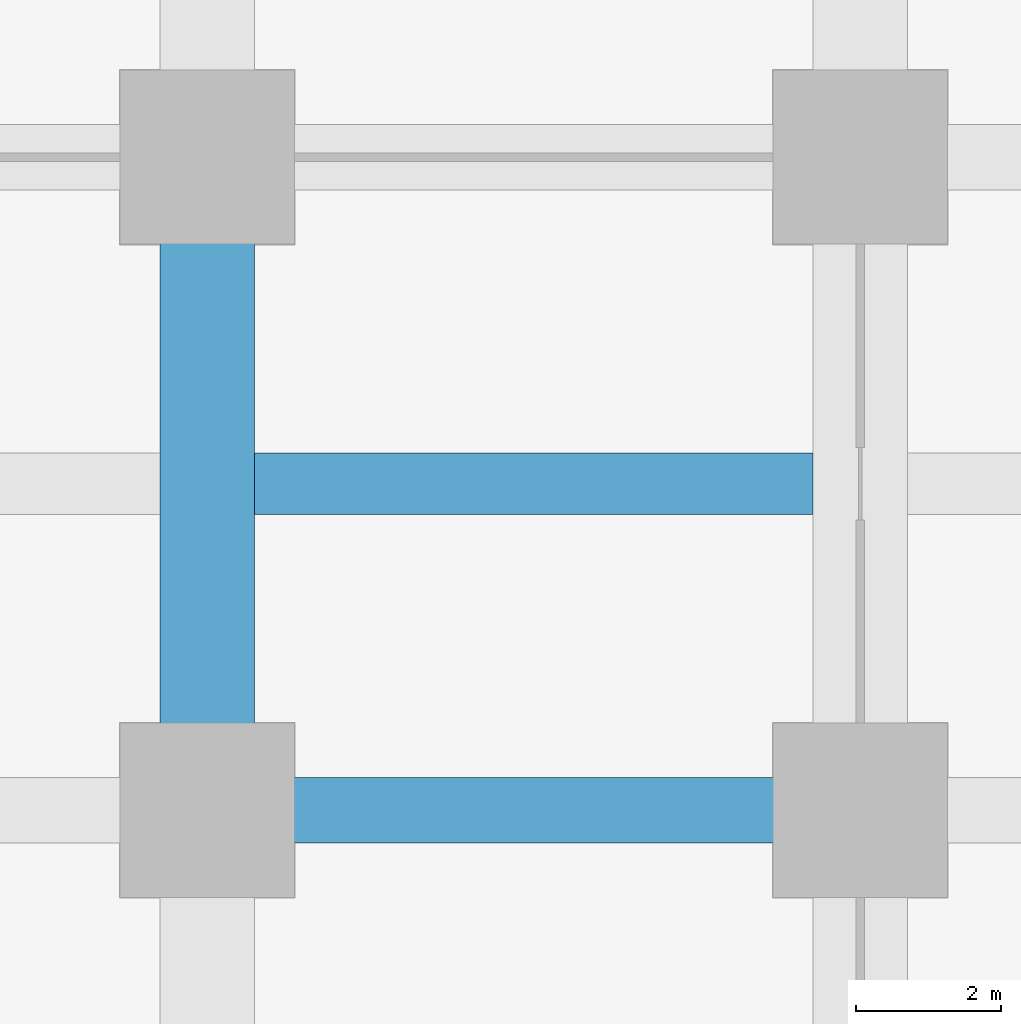
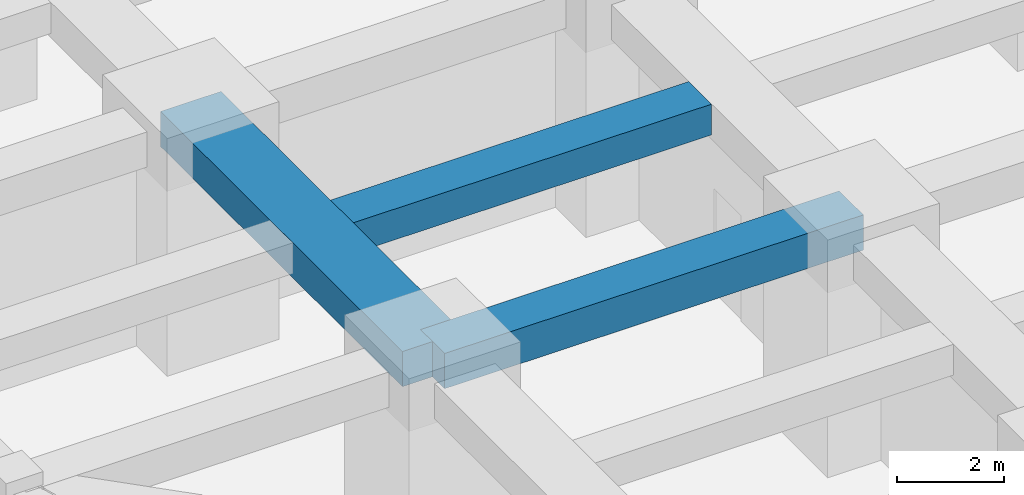
# One storey, part 5 of 45: 3 beams.
"""IFC4 building model written with IfcOpenShell, lengths in metres."""

from ifc_helpers import new_model, si_unit, direction, frame, origin, origin_2d, place, context, subcontext, project, spatial, rectangle, extrude, material, material_profile, profile_set, type_object, element, save


model = new_model("IFC4")

# Units and contexts
model_context = context("Model", 3, precision=1e-05, world=origin(), true_north=direction((0.0, 1.0)))
body_context = subcontext(model_context, "Body", "Model", "MODEL_VIEW")
ifc_project = project(units=[si_unit("LENGTHUNIT", "METRE"), si_unit("AREAUNIT", "SQUARE_METRE"), si_unit("VOLUMEUNIT", "CUBIC_METRE"), si_unit("PLANEANGLEUNIT", "RADIAN"), si_unit("MASSUNIT", "GRAM", prefix="KILO")], contexts=[model_context])

# Site, building, storey
site_placement = place(None, origin())
site = spatial("IfcSite", under=ifc_project, at=site_placement, CompositionType="ELEMENT")
building_placement = place(site_placement, origin())
building = spatial("IfcBuilding", under=site, at=building_placement, Name="Zorevar Civic Tower", CompositionType="ELEMENT")
storey_placement = place(building_placement, frame((0.0, 0.0, 5.39990234375)))
storey = spatial("IfcBuildingStorey", under=building, at=storey_placement, Name="L01", CompositionType="ELEMENT", Elevation=5.39990234375)

# Beams
ifc_material_1 = material(Name="Concrete C50/60", Category="concrete")
ifc_material_profile_1 = material_profile(ifc_material_1, rectangle(XDim=1.300048828125, YDim=0.800048828125, at=origin_2d()), Name="RC 1300x800")
ifc_profile_set_1 = profile_set([ifc_material_profile_1], Name="Concrete C50/60")
beam_type_1 = type_object("IfcBeamType", Name="Beam RC 1300x800", PredefinedType="BEAM", material=ifc_profile_set_1)
beam_1_placement = place(storey_placement, frame((0.0, 9.0, 4.7001953125), z_axis=(0.0, 1.0, 0.0), x_axis=(-1.0, 0.0, 0.0)))
element("IfcBeam", 1, at=beam_1_placement, inside=storey, type_object=beam_type_1, Name="Girder L02", PredefinedType="BEAM", context=body_context, shape_type="SweptSolid", body=[
    extrude(rectangle(XDim=1.300048828125, YDim=0.800048828125, at=origin_2d()), origin(), (0.0, 0.0, 1.0), 9.0),
])
ifc_material_2 = material(Name="Concrete C50/60", Category="concrete")
ifc_material_profile_2 = material_profile(ifc_material_2, rectangle(XDim=0.85009765625, YDim=0.699951171875, at=origin_2d()), Name="RC 850x700")
ifc_profile_set_2 = profile_set([ifc_material_profile_2], Name="Concrete C50/60")
beam_type_2 = type_object("IfcBeamType", Name="Beam RC 850x700", PredefinedType="BEAM", material=ifc_profile_set_2)
beam_2_placement = place(storey_placement, frame((0.64990234375, 13.5, 4.75), z_axis=(1.0, 0.0, 0.0), x_axis=(0.0, 1.0, 0.0)))
element("IfcBeam", 2, at=beam_2_placement, inside=storey, type_object=beam_type_2, Name="Secondary beam L02", PredefinedType="BEAM", context=body_context, shape_type="SweptSolid", body=[
    extrude(rectangle(XDim=0.85009765625, YDim=0.699951171875, at=origin_2d()), origin(), (0.0, 0.0, 1.0), 7.7001953125),
])
ifc_material_3 = material(Name="Concrete C50/60", Category="concrete")
ifc_material_profile_3 = material_profile(ifc_material_3, rectangle(XDim=0.89990234375, YDim=0.800048828125, at=origin_2d()), Name="RC 900x800")
ifc_profile_set_3 = profile_set([ifc_material_profile_3], Name="Concrete C50/60")
beam_type_3 = type_object("IfcBeamType", Name="Beam RC 900x800", PredefinedType="BEAM", material=ifc_profile_set_3)
beam_3_placement = place(storey_placement, frame((0.0, 9.0, 4.7001953125), z_axis=(1.0, 0.0, 0.0), x_axis=(0.0, 1.0, 0.0)))
element("IfcBeam", 3, at=beam_3_placement, inside=storey, type_object=beam_type_3, Name="Girder L02", PredefinedType="BEAM", context=body_context, shape_type="SweptSolid", body=[
    extrude(rectangle(XDim=0.89990234375, YDim=0.800048828125, at=origin_2d()), origin(), (0.0, 0.0, 1.0), 9.0),
])

save(model, "model.ifc")
